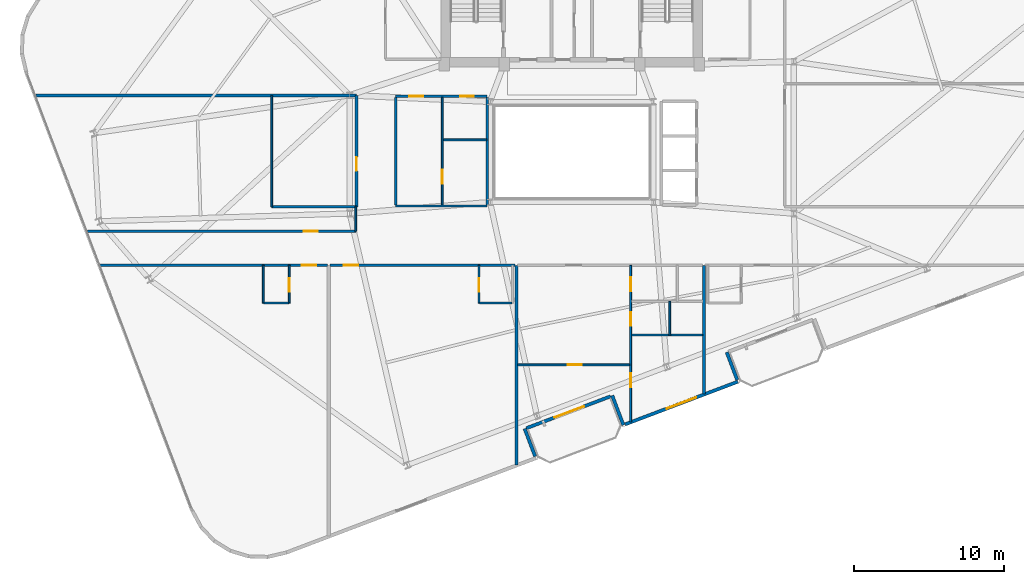
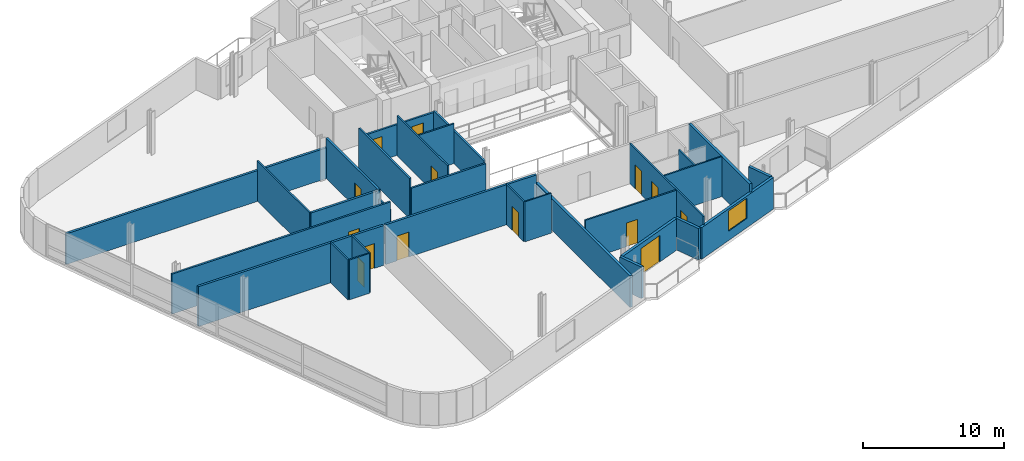
# One storey, part 14 of 19: 30 walls, 14 doors, 1 window, 15 openings.
"""IFC4 building model written with IfcOpenShell, lengths in metres."""

import ifcopenshell
import ifcopenshell.guid

model = None  # the IFC model being written
_history = None  # IfcOwnerHistory: only IFC2X3 demands one
_inside = {}  # id of a spatial element -> (the spatial element, [elements in it])
_under = {}  # id of a project, library or spatial element -> (it, [spatial elements below it])
_declared = {}  # id of a project -> (the project, [libraries it declares])
_typed = {}  # id of a type object -> (the type object, [elements of that type])
_made_of = {}  # id of a material, layer set ... -> (it, [elements and type objects made of it])


def new_model(schema):
    """Start an empty IFC model of exactly this schema.

    Asked for "IFC4X3", IfcOpenShell would pick the latest addendum, in which some entities
    have other attributes; the version numbers below select the first issue.
    IFC2X3 requires an IfcOwnerHistory on every rooted entity: one is made here for all.
    """
    global model, _history
    if schema == "IFC4X3":
        model = ifcopenshell.file(schema_version=(4, 3, 0, 0))
    else:
        model = ifcopenshell.file(schema=schema)
    _inside.clear()
    _under.clear()
    _declared.clear()
    _typed.clear()
    _made_of.clear()
    _history = None
    if model.schema == "IFC2X3":
        org = make("IfcOrganization", Name="unknown")
        user = make(
            "IfcPersonAndOrganization",
            ThePerson=make("IfcPerson", FamilyName="unknown"),
            TheOrganization=org,
        )
        app = make(
            "IfcApplication",
            ApplicationDeveloper=org,
            Version="unknown",
            ApplicationFullName="unknown",
            ApplicationIdentifier="unknown",
        )
        _history = make(
            "IfcOwnerHistory",
            OwningUser=user,
            OwningApplication=app,
            ChangeAction="ADDED",
            CreationDate=0,
        )
    return model


def make(cls, **values):
    """One entity of the class cls with the attributes given. An attribute that is None is left unset."""
    return model.create_entity(
        cls, **{name: value for name, value in values.items() if value is not None}
    )


def rooted(cls, **values):
    """An entity with a GlobalId (a new one), such as an element, a storey or a relation."""
    return make(cls, GlobalId=ifcopenshell.guid.new(), OwnerHistory=_history, **values)


def si_unit(unit_type, name, prefix=None):
    """IfcSIUnit, for example si_unit("LENGTHUNIT", "METRE", prefix="MILLI")."""
    return make("IfcSIUnit", UnitType=unit_type, Prefix=prefix, Name=name)


def assignment(units):
    """IfcUnitAssignment: the units of a project."""
    return None if units is None else make("IfcUnitAssignment", Units=units)


def point(xyz):
    """IfcCartesianPoint."""
    return None if xyz is None else make("IfcCartesianPoint", Coordinates=xyz)


def direction(xyz):
    """IfcDirection."""
    return None if xyz is None else make("IfcDirection", DirectionRatios=xyz)


def frame(location, z_axis=None, x_axis=None):
    """IfcAxis2Placement3D, a coordinate frame: its origin and axes. An axis left out is left unset."""
    return make(
        "IfcAxis2Placement3D",
        Location=point(location),
        Axis=direction(z_axis),
        RefDirection=direction(x_axis),
    )


def frame_2d(location, x_axis=None):
    """IfcAxis2Placement2D, a coordinate frame in the plane: its origin and x axis."""
    return make(
        "IfcAxis2Placement2D", Location=point(location), RefDirection=direction(x_axis)
    )


def origin():
    """The frame at (0, 0, 0) with its axes left unset."""
    return frame((0.0, 0.0, 0.0))


def place(relative_to, where):
    """IfcLocalPlacement: puts the frame where relative to a parent placement (None: the world)."""
    return make(
        "IfcLocalPlacement", PlacementRelTo=relative_to, RelativePlacement=where
    )


def context(
    kind, dimensions, precision=None, world=None, true_north=None, identifier=None
):
    """IfcGeometricRepresentationContext, for example the 3D "Model" context."""
    return make(
        "IfcGeometricRepresentationContext",
        ContextIdentifier=identifier,
        ContextType=kind,
        CoordinateSpaceDimension=dimensions,
        Precision=precision,
        WorldCoordinateSystem=world,
        TrueNorth=true_north,
    )


def subcontext(parent, identifier, kind, view, scale=None):
    """IfcGeometricRepresentationSubContext, for example "Body" below "Model"."""
    return make(
        "IfcGeometricRepresentationSubContext",
        ContextIdentifier=identifier,
        ContextType=kind,
        ParentContext=parent,
        TargetScale=scale,
        TargetView=view,
    )


def project(units=None, contexts=None):
    """IfcProject with its units and contexts."""
    return rooted(
        "IfcProject",
        Name="project",
        RepresentationContexts=contexts,
        UnitsInContext=assignment(units),
    )


def spatial(cls, under=None, at=None, **own):
    """A site, building, storey or space (cls), placed at a placement, below another one or the project."""
    s = rooted(cls, ObjectPlacement=at, **own)
    if under is not None:
        _under.setdefault(under.id(), (under, []))[1].append(s)
    return s


def profile(cls, at=None, kind="AREA", **sizes):
    """A parametric profile (cls). Its sizes go by their IFC names, for example OverallWidth=200.0."""
    return make(cls, ProfileType=kind, Position=at, **sizes)


def rectangle(**sizes):
    """IfcRectangleProfileDef."""
    return profile("IfcRectangleProfileDef", **sizes)


def extrude(swept, where, along, depth):
    """IfcExtrudedAreaSolid: the profile swept, set in the frame where, extruded along a direction by depth."""
    return make(
        "IfcExtrudedAreaSolid",
        SweptArea=swept,
        Position=where,
        ExtrudedDirection=direction(along),
        Depth=depth,
    )


def shape(context_of_items, identifier, shape_type, items):
    """IfcShapeRepresentation: the items that make up one representation, for example the "Body"."""
    return make(
        "IfcShapeRepresentation",
        ContextOfItems=context_of_items,
        RepresentationIdentifier=identifier,
        RepresentationType=shape_type,
        Items=items,
    )


def material(Name=None, Category=None):
    """IfcMaterial."""
    return make("IfcMaterial", Name=Name, Category=Category)


def layer(
    of_material, thickness, ventilated=None, Name=None, Category=None, Priority=None
):
    """IfcMaterialLayer: one layer of a wall or slab, of a material (None: an air gap)."""
    return make(
        "IfcMaterialLayer",
        Material=of_material,
        LayerThickness=thickness,
        IsVentilated=ventilated,
        Name=Name,
        Category=Category,
        Priority=Priority,
    )


def layer_set(layers, Name=None):
    """IfcMaterialLayerSet."""
    return make("IfcMaterialLayerSet", MaterialLayers=layers, LayerSetName=Name)


def made_of(thing, what):
    """Note that an element or type object is made of a material, layer set ...; save() writes the relation."""
    if what is not None:
        _made_of.setdefault(what.id(), (what, []))[1].append(thing)
    return thing


def type_object(cls, material=None, **own):
    """A type object (cls), such as IfcWallType, which elements share."""
    return made_of(rooted(cls, **own), material)


def element(
    cls,
    number,
    at=None,
    inside=None,
    cuts=None,
    type_object=None,
    material=None,
    context=None,
    identifier="Body",
    shape_type=None,
    held_by="IfcProductDefinitionShape",
    body=None,
    shapes=None,
    **own,
):
    """One element of the class cls, such as IfcWall. Its Tag is "e" and its number.

    at: its placement. inside: the storey or other place that contains it. cuts: it is an
    opening in that element (IfcRelVoidsElement). A single representation is given by context,
    identifier, shape_type and body (its items); several are given by shapes. held_by: the class
    of the entity that holds the representations. save() writes the other relations.
    """
    e = rooted(cls, Tag="e%d" % number, ObjectPlacement=at, **own)
    if body is not None:
        shapes = [shape(context, identifier, shape_type, body)]
    if shapes is not None:
        e.Representation = make(held_by, Representations=shapes)
    if inside is not None:
        _inside.setdefault(inside.id(), (inside, []))[1].append(e)
    if cuts is not None:
        rooted(
            "IfcRelVoidsElement", RelatingBuildingElement=cuts, RelatedOpeningElement=e
        )
    if type_object is not None:
        _typed.setdefault(type_object.id(), (type_object, []))[1].append(e)
    return made_of(e, material)


def fill(opening, filler):
    """IfcRelFillsElement: the door or window that sits in an opening."""
    return rooted(
        "IfcRelFillsElement",
        RelatingOpeningElement=opening,
        RelatedBuildingElement=filler,
    )


def aggregate(whole, parts):
    """IfcRelAggregates: a whole, such as a stair, and the parts it consists of."""
    return rooted("IfcRelAggregates", RelatingObject=whole, RelatedObjects=parts)


def save(model, path):
    """Write the relations noted so far, then the file.

    IfcRelAggregates (storeys below a building ...), IfcRelContainedInSpatialStructure (elements
    in a storey), IfcRelDefinesByType, IfcRelAssociatesMaterial and IfcRelDeclares: one each for
    every whole, place, type object, material and project.
    """
    for whole, parts in _under.values():
        aggregate(whole, parts)
    for where, things in _inside.values():
        rooted(
            "IfcRelContainedInSpatialStructure",
            RelatedElements=things,
            RelatingStructure=where,
        )
    for kind, things in _typed.values():
        rooted("IfcRelDefinesByType", RelatedObjects=things, RelatingType=kind)
    for what, things in _made_of.values():
        rooted("IfcRelAssociatesMaterial", RelatedObjects=things, RelatingMaterial=what)
    for by, libraries in _declared.values():
        rooted("IfcRelDeclares", RelatingContext=by, RelatedDefinitions=libraries)
    model.write(path)


model = new_model("IFC4")

# Units and contexts
model_context = context("Model", 3, precision=1e-05, world=origin(), true_north=direction((0.0, 1.0)))
body_context = subcontext(model_context, "Body", "Model", "MODEL_VIEW")
ifc_project = project(units=[si_unit("LENGTHUNIT", "METRE"), si_unit("AREAUNIT", "SQUARE_METRE"), si_unit("VOLUMEUNIT", "CUBIC_METRE"), si_unit("PLANEANGLEUNIT", "RADIAN"), si_unit("MASSUNIT", "GRAM", prefix="KILO")], contexts=[model_context])

# Site, building, storey
site_placement = place(None, origin())
site = spatial("IfcSite", under=ifc_project, at=site_placement, CompositionType="ELEMENT")
building_placement = place(site_placement, origin())
building = spatial("IfcBuilding", under=site, at=building_placement, Name="Varnelok Gate Tower", CompositionType="ELEMENT")
storey_placement = place(building_placement, frame((0.0, 0.0, 231.199951171875)))
storey = spatial("IfcBuildingStorey", under=building, at=storey_placement, Name="L59", CompositionType="ELEMENT", Elevation=231.199951171875)

# Wall, opening, door
ifc_material_1 = material(Name="Concrete C45/55", Category="concrete")
ifc_layer_1 = layer(ifc_material_1, 0.219970703125)
ifc_layer_set_1 = layer_set([ifc_layer_1], Name="Concrete C45/55")
wall_type_1 = type_object("IfcWallType", Name="EW-BALC-220", PredefinedType="SOLIDWALL", material=ifc_layer_set_1)
wall_1_placement = place(storey_placement, frame((41.783203125, 6.6142578125, 0.0), z_axis=(0.0, 0.0, 1.0), x_axis=(-0.93521416643, -0.354082565101, 0.0)))
wall_1 = element("IfcWall", 1, at=wall_1_placement, inside=storey, type_object=wall_type_1, Name="L59 South Terrace Envelope Wall 1", PredefinedType="SOLIDWALL", context=body_context, shape_type="SweptSolid", body=[
    extrude(rectangle(XDim=6.0, YDim=0.219970703125, at=frame_2d((3.0, 0.0))), origin(), (0.0, 0.0, 1.0), 2.72998046875),
])
opening_1_placement = place(wall_1_placement, frame((1.887939453125, 0.0, 0.0)))
opening_1 = element("IfcOpeningElement", 2, at=opening_1_placement, cuts=wall_1, Name="Opening BD-2", PredefinedType="OPENING", context=body_context, shape_type="SweptSolid", body=[
    extrude(rectangle(XDim=2.10009765625, YDim=2.300048828125, at=frame_2d((1.050048828125, 1.14990234375))), frame((0.0, 0.119873046875, 0.0), z_axis=(0.0, -1.0, 0.0), x_axis=(1.0, 0.0, 0.0)), (0.0, 0.0, 1.0), 0.239990234375),
])
ifc_material_2 = material(Name="Anodized Aluminum Alloy 6063-T6", Category="aluminium")
door_type_1 = type_object("IfcDoorType", Name="DR-EXT-SLID2100", OperationType="SLIDING_TO_LEFT", PredefinedType="DOOR", material=ifc_material_2)
door_1_placement = place(opening_1_placement, origin())
door_1 = element("IfcDoor", 3, at=door_1_placement, inside=storey, type_object=door_type_1, Name="L59 South Balcony Glazed Door 1", OperationType="SLIDING_TO_LEFT", OverallHeight=2.300048828125, OverallWidth=2.10009765625, PredefinedType="DOOR", context=body_context, shape_type="SweptSolid", body=[
    extrude(rectangle(XDim=2.10009765625, YDim=2.300048828125, at=frame_2d((1.050048828125, 1.14990234375))), frame((0.0, 0.02490234375, 0.0), z_axis=(0.0, -1.0, 0.0), x_axis=(1.0, 0.0, 0.0)), (0.0, 0.0, 1.0), 0.050048828125),
])
fill(opening_1, door_1)

# Walls
wall_2_placement = place(storey_placement, frame((36.75537109375, 2.609619140625, 0.0), z_axis=(0.0, 0.0, 1.0), x_axis=(-0.354020680661, 0.935237594232, 0.0)))
element("IfcWall", 4, at=wall_2_placement, inside=storey, type_object=wall_type_1, Name="L59 Perimeter Facade Closure Wall 8", PredefinedType="SOLIDWALL", context=body_context, shape_type="SweptSolid", body=[
    extrude(rectangle(XDim=1.97509765625, YDim=0.219970703125, at=frame_2d((0.987548828125, 0.0))), origin(), (0.0, 0.0, 1.0), 2.72998046875),
])
wall_3_placement = place(storey_placement, frame((41.891845703125, 6.666015625, 0.0), z_axis=(0.0, 0.0, 1.0), x_axis=(0.354128469405, -0.935196785258, 0.0)))
element("IfcWall", 5, at=wall_3_placement, inside=storey, type_object=wall_type_1, Name="L59 Perimeter Facade Closure Wall 9", PredefinedType="SOLIDWALL", context=body_context, shape_type="SweptSolid", body=[
    extrude(rectangle(XDim=2.099853515625, YDim=0.219970703125, at=frame_2d((1.0498046875, 0.0))), origin(), (0.0, 0.0, 1.0), 2.72998046875),
])

# Wall, opening, window
wall_4_placement = place(storey_placement, frame((42.75244140625, 4.746337890625, 0.0), z_axis=(0.0, 0.0, 1.0), x_axis=(0.935216926991, 0.354075273733, 0.0)))
wall_4 = element("IfcWall", 6, at=wall_4_placement, inside=storey, type_object=wall_type_1, Name="L59 Perimeter Facade Closure Wall 10", PredefinedType="SOLIDWALL", context=body_context, shape_type="SweptSolid", body=[
    extrude(rectangle(XDim=8.034912109375, YDim=0.219970703125, at=frame_2d((4.017578125, 0.0))), origin(), (0.0, 0.0, 1.0), 2.72998046875),
])
opening_2_placement = place(wall_4_placement, frame((2.967529296875, 0.0, 0.800048828125)))
opening_2 = element("IfcOpeningElement", 7, at=opening_2_placement, cuts=wall_4, Name="Opening WN4", PredefinedType="OPENING", context=body_context, shape_type="SweptSolid", body=[
    extrude(rectangle(XDim=2.10009765625, YDim=1.75, at=frame_2d((1.050048828125, 0.875))), frame((0.0, 0.119873046875, 0.0), z_axis=(0.0, -1.0, 0.0), x_axis=(1.0, 0.0, 0.0)), (0.0, 0.0, 1.0), 0.239990234375),
])
ifc_material_3 = material(Name="Low-E Laminated Double Glazing IGU", Category="glass")
window_type = type_object("IfcWindowType", Name="WN-SUI-2100", PartitioningType="SINGLE_PANEL", PredefinedType="WINDOW", material=ifc_material_3)
window_placement = place(opening_2_placement, origin())
window = element("IfcWindow", 8, at=window_placement, inside=storey, type_object=window_type, Name="L59 Perimeter Vision Window 10", OverallHeight=1.75, OverallWidth=2.10009765625, PartitioningType="SINGLE_PANEL", PredefinedType="WINDOW", context=body_context, shape_type="SweptSolid", body=[
    extrude(rectangle(XDim=2.10009765625, YDim=1.75, at=frame_2d((1.050048828125, 0.875))), frame((0.0, 0.030029296875, 0.0), z_axis=(0.0, -1.0, 0.0), x_axis=(1.0, 0.0, 0.0)), (0.0, 0.0, 1.0), 0.06005859375),
])
fill(opening_2, window)

# Wall
wall_5_placement = place(storey_placement, frame((50.22265625, 7.7080078125, 0.0), z_axis=(0.0, 0.0, 1.0), x_axis=(-0.354020680661, 0.935237594232, 0.0)))
element("IfcWall", 9, at=wall_5_placement, inside=storey, type_object=wall_type_1, Name="L59 Perimeter Facade Closure Wall 11", PredefinedType="SOLIDWALL", context=body_context, shape_type="SweptSolid", body=[
    extrude(rectangle(XDim=1.97509765625, YDim=0.219970703125, at=frame_2d((0.987548828125, 0.0))), origin(), (0.0, 0.0, 1.0), 2.72998046875),
])

# Wall, opening, door
ifc_material_4 = material(Name="Gypsum Plasterboard Acoustic Partition", Category="gypsum")
ifc_layer_2 = layer(ifc_material_4, 0.179931640625)
ifc_layer_set_2 = layer_set([ifc_layer_2], Name="Gypsum Plasterboard Acoustic Partition")
wall_type_2 = type_object("IfcWallType", Name="PW-CORR-180", PredefinedType="PARTITIONING", material=ifc_layer_set_2)
wall_6_placement = place(storey_placement, frame((7.763916015625, 15.35009765625, 0.0), z_axis=(0.0, 0.0, 1.0), x_axis=(1.0, 0.0, 0.0)))
wall_6 = element("IfcWall", 10, at=wall_6_placement, inside=storey, type_object=wall_type_2, Name="Interior Partition", PredefinedType="PARTITIONING", context=body_context, shape_type="SweptSolid", body=[
    extrude(rectangle(XDim=15.156005859375, YDim=0.179931640625, at=frame_2d((7.578125, 0.0))), origin(), (0.0, 0.0, 1.0), 3.449951171875),
])
opening_3_placement = place(wall_6_placement, frame((13.44970703125, 0.0, 0.0)))
opening_3 = element("IfcOpeningElement", 11, at=opening_3_placement, cuts=wall_6, Name="Opening D-HT", PredefinedType="OPENING", context=body_context, shape_type="SweptSolid", body=[
    extrude(rectangle(XDim=0.949951171875, YDim=2.14990234375, at=frame_2d((0.47509765625, 1.074951171875))), frame((0.0, 0.099853515625, 0.0), z_axis=(0.0, -1.0, 0.0), x_axis=(1.0, 0.0, 0.0)), (0.0, 0.0, 1.0), 0.199951171875),
])
ifc_material_5 = material(Name="Engineered Hardwood Timber", Category="wood")
door_type_2 = type_object("IfcDoorType", Name="DR-HTL-950", OperationType="NOTDEFINED", PredefinedType="DOOR", material=ifc_material_5)
door_2_placement = place(opening_3_placement, origin())
door_2 = element("IfcDoor", 12, at=door_2_placement, inside=storey, type_object=door_type_2, Name="L59 Guest Room 01 Entrance Door", OperationType="SINGLE_SWING_RIGHT", OverallHeight=2.14990234375, OverallWidth=0.949951171875, PredefinedType="DOOR", context=body_context, shape_type="SweptSolid", body=[
    extrude(rectangle(XDim=0.949951171875, YDim=2.14990234375, at=frame_2d((0.47509765625, 1.074951171875))), frame((0.0, 0.02490234375, 0.0), z_axis=(0.0, -1.0, 0.0), x_axis=(1.0, 0.0, 0.0)), (0.0, 0.0, 1.0), 0.050048828125),
])
fill(opening_3, door_2)

wall_7_placement = place(storey_placement, frame((23.080078125, 15.35009765625, 0.0), z_axis=(0.0, 0.0, 1.0), x_axis=(1.0, 0.0, 0.0)))
wall_7 = element("IfcWall", 13, at=wall_7_placement, inside=storey, type_object=wall_type_2, Name="Interior Partition", PredefinedType="PARTITIONING", context=body_context, shape_type="SweptSolid", body=[
    extrude(rectangle(XDim=12.33984375, YDim=0.179931640625, at=frame_2d((6.169921875, 0.0))), origin(), (0.0, 0.0, 1.0), 3.449951171875),
])
opening_4_placement = place(wall_7_placement, frame((0.933349609375, 0.0, 0.0)))
opening_4 = element("IfcOpeningElement", 14, at=opening_4_placement, cuts=wall_7, Name="Opening D-HT", PredefinedType="OPENING", context=body_context, shape_type="SweptSolid", body=[
    extrude(rectangle(XDim=0.949951171875, YDim=2.14990234375, at=frame_2d((0.47509765625, 1.074951171875))), frame((0.0, 0.099853515625, 0.0), z_axis=(0.0, -1.0, 0.0), x_axis=(1.0, 0.0, 0.0)), (0.0, 0.0, 1.0), 0.199951171875),
])
door_3_placement = place(opening_4_placement, origin())
door_3 = element("IfcDoor", 15, at=door_3_placement, inside=storey, type_object=door_type_2, Name="L59 Guest Room 02 Entrance Door", OperationType="SINGLE_SWING_LEFT", OverallHeight=2.14990234375, OverallWidth=0.949951171875, PredefinedType="DOOR", context=body_context, shape_type="SweptSolid", body=[
    extrude(rectangle(XDim=0.949951171875, YDim=2.14990234375, at=frame_2d((0.47509765625, 1.074951171875))), frame((0.0, 0.02490234375, 0.0), z_axis=(0.0, -1.0, 0.0), x_axis=(1.0, 0.0, 0.0)), (0.0, 0.0, 1.0), 0.050048828125),
])
fill(opening_4, door_3)

wall_8_placement = place(storey_placement, frame((24.85009765625, 19.239990234375, 0.0), z_axis=(0.0, 0.0, 1.0), x_axis=(0.0, 1.0, 0.0)))
wall_8 = element("IfcWall", 16, at=wall_8_placement, inside=storey, type_object=wall_type_2, Name="Interior Partition", PredefinedType="PARTITIONING", context=body_context, shape_type="SweptSolid", body=[
    extrude(rectangle(XDim=7.419921875, YDim=0.179931640625, at=frame_2d((3.7099609375, 0.0))), origin(), (0.0, 0.0, 1.0), 3.449951171875),
])
opening_5_placement = place(wall_8_placement, frame((2.39990234375, 0.0, 0.0)))
opening_5 = element("IfcOpeningElement", 17, at=opening_5_placement, cuts=wall_8, Name="Opening D-I3", PredefinedType="OPENING", context=body_context, shape_type="SweptSolid", body=[
    extrude(rectangle(XDim=0.919921875, YDim=2.050048828125, at=frame_2d((0.4599609375, 1.02490234375))), frame((0.0, 0.099853515625, 0.0), z_axis=(0.0, -1.0, 0.0), x_axis=(1.0, 0.0, 0.0)), (0.0, 0.0, 1.0), 0.199951171875),
])
door_type_3 = type_object("IfcDoorType", Name="DR-INT-920", OperationType="NOTDEFINED", PredefinedType="DOOR", material=ifc_material_5)
door_4_placement = place(opening_5_placement, origin())
door_4 = element("IfcDoor", 18, at=door_4_placement, inside=storey, type_object=door_type_3, Name="L59 West Playroom Door", OperationType="SINGLE_SWING_LEFT", OverallHeight=2.050048828125, OverallWidth=0.919921875, PredefinedType="DOOR", context=body_context, shape_type="SweptSolid", body=[
    extrude(rectangle(XDim=0.919921875, YDim=2.050048828125, at=frame_2d((0.4599609375, 1.02490234375))), frame((0.0, 0.02490234375, 0.0), z_axis=(0.0, -1.0, 0.0), x_axis=(1.0, 0.0, 0.0)), (0.0, 0.0, 1.0), 0.050048828125),
])
fill(opening_5, door_4)

# Walls
wall_9_placement = place(storey_placement, frame((19.199951171875, 19.239990234375, 0.0), z_axis=(0.0, 0.0, 1.0), x_axis=(1.0, 0.0, 0.0)))
element("IfcWall", 19, at=wall_9_placement, inside=storey, type_object=wall_type_2, Name="Interior Partition", PredefinedType="PARTITIONING", context=body_context, shape_type="SweptSolid", body=[
    extrude(rectangle(XDim=5.650146484375, YDim=0.179931640625, at=frame_2d((2.8251953125, 0.0))), origin(), (0.0, 0.0, 1.0), 3.449951171875),
])
wall_10_placement = place(storey_placement, frame((3.482177734375, 26.659912109375, 0.0), z_axis=(0.0, 0.0, 1.0), x_axis=(1.0, 0.0, 0.0)))
element("IfcWall", 20, at=wall_10_placement, inside=storey, type_object=wall_type_2, Name="Interior Partition", PredefinedType="PARTITIONING", context=body_context, shape_type="SweptSolid", body=[
    extrude(rectangle(XDim=21.367919921875, YDim=0.179931640625, at=frame_2d((10.68408203125, 0.0))), origin(), (0.0, 0.0, 1.0), 2.662109375),
])
ifc_layer_3 = layer(ifc_material_4, 0.114990234375)
ifc_layer_set_3 = layer_set([ifc_layer_3], Name="Gypsum Plasterboard Acoustic Partition")
wall_type_3 = type_object("IfcWallType", Name="PW-ENS-125", PredefinedType="PARTITIONING", material=ifc_layer_set_3)
wall_11_placement = place(storey_placement, frame((18.679931640625, 12.830078125, 0.0), z_axis=(0.0, 0.0, 1.0), x_axis=(1.0, 0.0, 0.0)))
element("IfcWall", 21, at=wall_11_placement, inside=storey, type_object=wall_type_3, Name="Interior Partition", PredefinedType="PARTITIONING", context=body_context, shape_type="SweptSolid", body=[
    extrude(rectangle(XDim=1.650146484375, YDim=0.114990234375, at=frame_2d((0.8251953125, 0.0))), origin(), (0.0, 0.0, 1.0), 3.449951171875),
])

# Wall, opening, door
wall_12_placement = place(storey_placement, frame((20.3701171875, 12.830078125, 0.0), z_axis=(0.0, 0.0, 1.0), x_axis=(0.0, 1.0, 0.0)))
wall_12 = element("IfcWall", 22, at=wall_12_placement, inside=storey, type_object=wall_type_3, Name="Interior Partition", PredefinedType="PARTITIONING", context=body_context, shape_type="SweptSolid", body=[
    extrude(rectangle(XDim=2.52001953125, YDim=0.114990234375, at=frame_2d((1.260009765625, 0.0))), origin(), (0.0, 0.0, 1.0), 3.449951171875),
])
opening_6_placement = place(wall_12_placement, frame((0.760009765625, 0.0, 0.0)))
opening_6 = element("IfcOpeningElement", 23, at=opening_6_placement, cuts=wall_12, Name="Opening D-WC", PredefinedType="OPENING", context=body_context, shape_type="SweptSolid", body=[
    extrude(rectangle(XDim=0.89990234375, YDim=2.050048828125, at=frame_2d((0.449951171875, 1.02490234375))), frame((0.0, 0.0673828125, 0.0), z_axis=(0.0, -1.0, 0.0), x_axis=(1.0, 0.0, 0.0)), (0.0, 0.0, 1.0), 0.135009765625),
])
door_type_4 = type_object("IfcDoorType", Name="DR-BATH-900", OperationType="NOTDEFINED", PredefinedType="DOOR", material=ifc_material_5)
door_5_placement = place(opening_6_placement, origin())
door_5 = element("IfcDoor", 24, at=door_5_placement, inside=storey, type_object=door_type_4, Name="L59 Guest En-Suite 01 Door", OperationType="SINGLE_SWING_LEFT", OverallHeight=2.050048828125, OverallWidth=0.89990234375, PredefinedType="DOOR", context=body_context, shape_type="SweptSolid", body=[
    extrude(rectangle(XDim=0.89990234375, YDim=2.050048828125, at=frame_2d((0.449951171875, 1.02490234375))), frame((0.0, 0.02490234375, 0.0), z_axis=(0.0, -1.0, 0.0), x_axis=(1.0, 0.0, 0.0)), (0.0, 0.0, 1.0), 0.050048828125),
])
fill(opening_6, door_5)

# Walls
wall_13_placement = place(storey_placement, frame((18.639892578125, 12.830078125, 0.0), z_axis=(0.0, 0.0, 1.0), x_axis=(0.0, 1.0, 0.0)))
element("IfcWall", 25, at=wall_13_placement, inside=storey, type_object=wall_type_3, Name="Interior Partition", PredefinedType="PARTITIONING", context=body_context, shape_type="SweptSolid", body=[
    extrude(rectangle(XDim=2.52001953125, YDim=0.114990234375, at=frame_2d((1.260009765625, 0.0))), origin(), (0.0, 0.0, 1.0), 3.449951171875),
])
wall_14_placement = place(storey_placement, frame((33.050048828125, 12.830078125, 0.0), z_axis=(0.0, 0.0, 1.0), x_axis=(1.0, 0.0, 0.0)))
element("IfcWall", 26, at=wall_14_placement, inside=storey, type_object=wall_type_3, Name="Interior Partition", PredefinedType="PARTITIONING", context=body_context, shape_type="SweptSolid", body=[
    extrude(rectangle(XDim=2.14990234375, YDim=0.114990234375, at=frame_2d((1.074951171875, 0.0))), origin(), (0.0, 0.0, 1.0), 3.449951171875),
])

# Wall, opening, door
wall_15_placement = place(storey_placement, frame((33.010009765625, 12.830078125, 0.0), z_axis=(0.0, 0.0, 1.0), x_axis=(0.0, 1.0, 0.0)))
wall_15 = element("IfcWall", 27, at=wall_15_placement, inside=storey, type_object=wall_type_3, Name="Interior Partition", PredefinedType="PARTITIONING", context=body_context, shape_type="SweptSolid", body=[
    extrude(rectangle(XDim=2.52001953125, YDim=0.114990234375, at=frame_2d((1.260009765625, 0.0))), origin(), (0.0, 0.0, 1.0), 3.449951171875),
])
opening_7_placement = place(wall_15_placement, frame((0.760009765625, 0.0, 0.0)))
opening_7 = element("IfcOpeningElement", 28, at=opening_7_placement, cuts=wall_15, Name="Opening D-WC", PredefinedType="OPENING", context=body_context, shape_type="SweptSolid", body=[
    extrude(rectangle(XDim=0.89990234375, YDim=2.050048828125, at=frame_2d((0.449951171875, 1.02490234375))), frame((0.0, 0.0673828125, 0.0), z_axis=(0.0, -1.0, 0.0), x_axis=(1.0, 0.0, 0.0)), (0.0, 0.0, 1.0), 0.135009765625),
])
door_6_placement = place(opening_7_placement, origin())
door_6 = element("IfcDoor", 29, at=door_6_placement, inside=storey, type_object=door_type_4, Name="L59 Guest En-Suite 02 Door", OperationType="SINGLE_SWING_RIGHT", OverallHeight=2.050048828125, OverallWidth=0.89990234375, PredefinedType="DOOR", context=body_context, shape_type="SweptSolid", body=[
    extrude(rectangle(XDim=0.89990234375, YDim=2.050048828125, at=frame_2d((0.449951171875, 1.02490234375))), frame((0.0, 0.02490234375, 0.0), z_axis=(0.0, -1.0, 0.0), x_axis=(1.0, 0.0, 0.0)), (0.0, 0.0, 1.0), 0.050048828125),
])
fill(opening_7, door_6)

# Walls
wall_16_placement = place(storey_placement, frame((43.18994140625, 10.699951171875, 0.0), z_axis=(0.0, 0.0, 1.0), x_axis=(1.0, 0.0, 0.0)))
element("IfcWall", 30, at=wall_16_placement, inside=storey, type_object=wall_type_3, Name="Interior Partition", PredefinedType="PARTITIONING", context=body_context, shape_type="SweptSolid", body=[
    extrude(rectangle(XDim=4.72998046875, YDim=0.114990234375, at=frame_2d((2.364990234375, 0.0))), origin(), (0.0, 0.0, 1.0), 3.449951171875),
])
wall_17_placement = place(storey_placement, frame((45.72998046875, 10.699951171875, 0.0), z_axis=(0.0, 0.0, 1.0), x_axis=(0.0, 1.0, 0.0)))
element("IfcWall", 31, at=wall_17_placement, inside=storey, type_object=wall_type_3, Name="Interior Partition", PredefinedType="PARTITIONING", context=body_context, shape_type="SweptSolid", body=[
    extrude(rectangle(XDim=2.239990234375, YDim=0.114990234375, at=frame_2d((1.1201171875, 0.0))), origin(), (0.0, 0.0, 1.0), 3.449951171875),
])
ifc_layer_4 = layer(ifc_material_4, 0.125)
ifc_layer_set_4 = layer_set([ifc_layer_4], Name="Gypsum Plasterboard Acoustic Partition")
wall_type_4 = type_object("IfcWallType", Name="PW-PART-125", PredefinedType="PARTITIONING", material=ifc_layer_set_4)
wall_18_placement = place(storey_placement, frame((24.800048828125, 17.610107421875, 0.0), z_axis=(0.0, 0.0, 1.0), x_axis=(0.0, 1.0, 0.0)))
element("IfcWall", 32, at=wall_18_placement, inside=storey, type_object=wall_type_4, Name="Interior Partition", PredefinedType="PARTITIONING", context=body_context, shape_type="SweptSolid", body=[
    extrude(rectangle(XDim=1.6298828125, YDim=0.125, at=frame_2d((0.81494140625, 0.0))), origin(), (0.0, 0.0, 1.0), 2.739013671875),
])

# Wall, opening, door
wall_19_placement = place(storey_placement, frame((35.580078125, 8.7119140625, 0.0), z_axis=(0.0, 0.0, 1.0), x_axis=(1.0, 0.0, 0.0)))
wall_19 = element("IfcWall", 33, at=wall_19_placement, inside=storey, type_object=wall_type_4, Name="Interior Partition", PredefinedType="PARTITIONING", context=body_context, shape_type="SweptSolid", body=[
    extrude(rectangle(XDim=7.469970703125, YDim=0.125, at=frame_2d((3.73486328125, 0.0))), origin(), (0.0, 0.0, 1.0), 3.449951171875),
])
opening_8_placement = place(wall_19_placement, frame((3.361572265625, 0.0, 0.0)))
opening_8 = element("IfcOpeningElement", 34, at=opening_8_placement, cuts=wall_19, Name="Opening D-I3", PredefinedType="OPENING", context=body_context, shape_type="SweptSolid", body=[
    extrude(rectangle(XDim=0.919921875, YDim=2.050048828125, at=frame_2d((0.4599609375, 1.02490234375))), frame((0.0, 0.072509765625, 0.0), z_axis=(0.0, -1.0, 0.0), x_axis=(1.0, 0.0, 0.0)), (0.0, 0.0, 1.0), 0.14501953125),
])
door_7_placement = place(opening_8_placement, origin())
door_7 = element("IfcDoor", 35, at=door_7_placement, inside=storey, type_object=door_type_3, Name="L59 Apartment 3 Study Door", OperationType="SINGLE_SWING_LEFT", OverallHeight=2.050048828125, OverallWidth=0.919921875, PredefinedType="DOOR", context=body_context, shape_type="SweptSolid", body=[
    extrude(rectangle(XDim=0.919921875, YDim=2.050048828125, at=frame_2d((0.4599609375, 1.02490234375))), frame((0.0, 0.02490234375, 0.0), z_axis=(0.0, -1.0, 0.0), x_axis=(1.0, 0.0, 0.0)), (0.0, 0.0, 1.0), 0.050048828125),
])
fill(opening_8, door_7)

# Wall, openings, doors
wall_20_placement = place(storey_placement, frame((43.1201171875, 4.906982421875, 0.0), z_axis=(0.0, 0.0, 1.0), x_axis=(0.0, 1.0, 0.0)))
wall_20 = element("IfcWall", 36, at=wall_20_placement, inside=storey, type_object=wall_type_4, Name="Interior Partition", PredefinedType="PARTITIONING", context=body_context, shape_type="SweptSolid", body=[
    extrude(rectangle(XDim=10.443115234375, YDim=0.125, at=frame_2d((5.2216796875, 0.0))), origin(), (0.0, 0.0, 1.0), 3.449951171875),
])
opening_9_placement = place(wall_20_placement, frame((2.31982421875, 0.0, 0.0)))
opening_9 = element("IfcOpeningElement", 37, at=opening_9_placement, cuts=wall_20, Name="Opening D-I3", PredefinedType="OPENING", context=body_context, shape_type="SweptSolid", body=[
    extrude(rectangle(XDim=0.919921875, YDim=2.050048828125, at=frame_2d((0.4599609375, 1.02490234375))), frame((0.0, 0.072509765625, 0.0), z_axis=(0.0, -1.0, 0.0), x_axis=(1.0, 0.0, 0.0)), (0.0, 0.0, 1.0), 0.14501953125),
])
opening_10_placement = place(wall_20_placement, frame((6.42041015625, 0.0, 0.0)))
opening_10 = element("IfcOpeningElement", 38, at=opening_10_placement, cuts=wall_20, Name="Opening D-WC", PredefinedType="OPENING", context=body_context, shape_type="SweptSolid", body=[
    extrude(rectangle(XDim=0.89990234375, YDim=2.050048828125, at=frame_2d((0.449951171875, 1.02490234375))), frame((0.0, 0.072509765625, 0.0), z_axis=(0.0, -1.0, 0.0), x_axis=(1.0, 0.0, 0.0)), (0.0, 0.0, 1.0), 0.14501953125),
])
opening_11_placement = place(wall_20_placement, frame((8.713134765625, 0.0, 0.0)))
opening_11 = element("IfcOpeningElement", 39, at=opening_11_placement, cuts=wall_20, Name="Opening D-I3", PredefinedType="OPENING", context=body_context, shape_type="SweptSolid", body=[
    extrude(rectangle(XDim=0.919921875, YDim=2.050048828125, at=frame_2d((0.4599609375, 1.02490234375))), frame((0.0, 0.072509765625, 0.0), z_axis=(0.0, -1.0, 0.0), x_axis=(1.0, 0.0, 0.0)), (0.0, 0.0, 1.0), 0.14501953125),
])
door_8_placement = place(opening_10_placement, origin())
door_8 = element("IfcDoor", 40, at=door_8_placement, inside=storey, type_object=door_type_4, Name="L59 Apartment 3 Bathroom Door", OperationType="SINGLE_SWING_LEFT", OverallHeight=2.050048828125, OverallWidth=0.89990234375, PredefinedType="DOOR", context=body_context, shape_type="SweptSolid", body=[
    extrude(rectangle(XDim=0.89990234375, YDim=2.050048828125, at=frame_2d((0.449951171875, 1.02490234375))), frame((0.0, 0.02490234375, 0.0), z_axis=(0.0, -1.0, 0.0), x_axis=(1.0, 0.0, 0.0)), (0.0, 0.0, 1.0), 0.050048828125),
])
fill(opening_10, door_8)
door_9_placement = place(opening_9_placement, origin())
door_9 = element("IfcDoor", 41, at=door_9_placement, inside=storey, type_object=door_type_3, Name="L59 Apartment 3 Bedroom Door", OperationType="SINGLE_SWING_RIGHT", OverallHeight=2.050048828125, OverallWidth=0.919921875, PredefinedType="DOOR", context=body_context, shape_type="SweptSolid", body=[
    extrude(rectangle(XDim=0.919921875, YDim=2.050048828125, at=frame_2d((0.4599609375, 1.02490234375))), frame((0.0, 0.02490234375, 0.0), z_axis=(0.0, -1.0, 0.0), x_axis=(1.0, 0.0, 0.0)), (0.0, 0.0, 1.0), 0.050048828125),
])
fill(opening_9, door_9)
door_10_placement = place(opening_11_placement, origin())
door_10 = element("IfcDoor", 42, at=door_10_placement, inside=storey, type_object=door_type_3, Name="L59 Apartment 3 Kitchen Door", OperationType="SINGLE_SWING_RIGHT", OverallHeight=2.050048828125, OverallWidth=0.919921875, PredefinedType="DOOR", context=body_context, shape_type="SweptSolid", body=[
    extrude(rectangle(XDim=0.919921875, YDim=2.050048828125, at=frame_2d((0.4599609375, 1.02490234375))), frame((0.0, 0.02490234375, 0.0), z_axis=(0.0, -1.0, 0.0), x_axis=(1.0, 0.0, 0.0)), (0.0, 0.0, 1.0), 0.050048828125),
])
fill(opening_11, door_10)

# Wall
wall_21_placement = place(storey_placement, frame((19.199951171875, 19.239990234375, 0.0), z_axis=(0.0, 0.0, 1.0), x_axis=(0.0, 1.0, 0.0)))
element("IfcWall", 43, at=wall_21_placement, inside=storey, type_object=wall_type_4, Name="Interior Partition", PredefinedType="PARTITIONING", context=body_context, shape_type="SweptSolid", body=[
    extrude(rectangle(XDim=7.419921875, YDim=0.125, at=frame_2d((3.7099609375, 0.0))), origin(), (0.0, 0.0, 1.0), 3.449951171875),
])

# Wall, opening, door
wall_22_placement = place(storey_placement, frame((30.56005859375, 19.3798828125, 0.0), z_axis=(0.0, 0.0, 1.0), x_axis=(0.0, 1.0, 0.0)))
wall_22 = element("IfcWall", 44, at=wall_22_placement, inside=storey, type_object=wall_type_4, Name="Interior Partition", PredefinedType="PARTITIONING", context=body_context, shape_type="SweptSolid", body=[
    extrude(rectangle(XDim=7.16015625, YDim=0.125, at=frame_2d((3.580078125, 0.0))), origin(), (0.0, 0.0, 1.0), 3.449951171875),
])
opening_12_placement = place(wall_22_placement, frame((1.39990234375, 0.0, 0.0)))
opening_12 = element("IfcOpeningElement", 45, at=opening_12_placement, cuts=wall_22, Name="Opening D-I3", PredefinedType="OPENING", context=body_context, shape_type="SweptSolid", body=[
    extrude(rectangle(XDim=0.919921875, YDim=2.050048828125, at=frame_2d((0.4599609375, 1.02490234375))), frame((0.0, 0.072509765625, 0.0), z_axis=(0.0, -1.0, 0.0), x_axis=(1.0, 0.0, 0.0)), (0.0, 0.0, 1.0), 0.14501953125),
])
door_11_placement = place(opening_12_placement, origin())
door_11 = element("IfcDoor", 46, at=door_11_placement, inside=storey, type_object=door_type_3, Name="L59 Floor Linen Store Door", OperationType="SINGLE_SWING_RIGHT", OverallHeight=2.050048828125, OverallWidth=0.919921875, PredefinedType="DOOR", context=body_context, shape_type="SweptSolid", body=[
    extrude(rectangle(XDim=0.919921875, YDim=2.050048828125, at=frame_2d((0.4599609375, 1.02490234375))), frame((0.0, 0.02490234375, 0.0), z_axis=(0.0, -1.0, 0.0), x_axis=(1.0, 0.0, 0.0)), (0.0, 0.0, 1.0), 0.050048828125),
])
fill(opening_12, door_11)

# Wall
wall_23_placement = place(storey_placement, frame((30.639892578125, 23.7099609375, 0.0), z_axis=(0.0, 0.0, 1.0), x_axis=(1.0, 0.0, 0.0)))
element("IfcWall", 47, at=wall_23_placement, inside=storey, type_object=wall_type_4, Name="Interior Partition", PredefinedType="PARTITIONING", context=body_context, shape_type="SweptSolid", body=[
    extrude(rectangle(XDim=2.880126953125, YDim=0.125, at=frame_2d((1.43994140625, 0.0))), origin(), (0.0, 0.0, 1.0), 3.449951171875),
])

# Wall, opening, door
ifc_layer_5 = layer(ifc_material_4, 0.14990234375)
ifc_layer_set_5 = layer_set([ifc_layer_5], Name="Gypsum Plasterboard Acoustic Partition")
wall_type_5 = type_object("IfcWallType", Name="PW-PART-150", PredefinedType="PARTITIONING", material=ifc_layer_set_5)
wall_24_placement = place(storey_placement, frame((6.908447265625, 17.610107421875, 0.0), z_axis=(0.0, 0.0, 1.0), x_axis=(1.0, 0.0, 0.0)))
wall_24 = element("IfcWall", 48, at=wall_24_placement, inside=storey, type_object=wall_type_5, Name="Interior Partition", PredefinedType="PARTITIONING", context=body_context, shape_type="SweptSolid", body=[
    extrude(rectangle(XDim=17.8916015625, YDim=0.14990234375, at=frame_2d((8.94580078125, 0.0))), origin(), (0.0, 0.0, 1.0), 3.449951171875),
])
opening_13_placement = place(wall_24_placement, frame((14.426513671875, 0.0, 0.0)))
opening_13 = element("IfcOpeningElement", 49, at=opening_13_placement, cuts=wall_24, Name="Opening D-I3", PredefinedType="OPENING", context=body_context, shape_type="SweptSolid", body=[
    extrude(rectangle(XDim=0.919921875, YDim=2.050048828125, at=frame_2d((0.4599609375, 1.02490234375))), frame((0.0, 0.0849609375, 0.0), z_axis=(0.0, -1.0, 0.0), x_axis=(1.0, 0.0, 0.0)), (0.0, 0.0, 1.0), 0.169921875),
])
door_12_placement = place(opening_13_placement, origin())
door_12 = element("IfcDoor", 50, at=door_12_placement, inside=storey, type_object=door_type_3, Name="L59 Atrium Room 1 Door", OperationType="SINGLE_SWING_LEFT", OverallHeight=2.050048828125, OverallWidth=0.919921875, PredefinedType="DOOR", context=body_context, shape_type="SweptSolid", body=[
    extrude(rectangle(XDim=0.919921875, YDim=2.050048828125, at=frame_2d((0.4599609375, 1.02490234375))), frame((0.0, 0.02490234375, 0.0), z_axis=(0.0, -1.0, 0.0), x_axis=(1.0, 0.0, 0.0)), (0.0, 0.0, 1.0), 0.050048828125),
])
fill(opening_13, door_12)

# Wall, openings, doors
wall_25_placement = place(storey_placement, frame((27.4599609375, 26.6201171875, 0.0), z_axis=(0.0, 0.0, 1.0), x_axis=(1.0, 0.0, 0.0)))
wall_25 = element("IfcWall", 51, at=wall_25_placement, inside=storey, type_object=wall_type_5, Name="Interior Partition", PredefinedType="PARTITIONING", context=body_context, shape_type="SweptSolid", body=[
    extrude(rectangle(XDim=6.10009765625, YDim=0.14990234375, at=frame_2d((3.050048828125, 0.0))), origin(), (0.0, 0.0, 1.0), 2.662109375),
])
opening_14_placement = place(wall_25_placement, frame((0.89990234375, 0.0, 0.0)))
opening_14 = element("IfcOpeningElement", 52, at=opening_14_placement, cuts=wall_25, Name="Opening D-I2", PredefinedType="OPENING", context=body_context, shape_type="SweptSolid", body=[
    extrude(rectangle(XDim=0.949951171875, YDim=2.050048828125, at=frame_2d((0.47509765625, 1.02490234375))), frame((0.0, 0.0849609375, 0.0), z_axis=(0.0, -1.0, 0.0), x_axis=(1.0, 0.0, 0.0)), (0.0, 0.0, 1.0), 0.169921875),
])
opening_15_placement = place(wall_25_placement, frame((4.302978515625, 0.0, 0.0)))
opening_15 = element("IfcOpeningElement", 53, at=opening_15_placement, cuts=wall_25, Name="Opening D-WC", PredefinedType="OPENING", context=body_context, shape_type="SweptSolid", body=[
    extrude(rectangle(XDim=0.89990234375, YDim=2.050048828125, at=frame_2d((0.449951171875, 1.02490234375))), frame((0.0, 0.0849609375, 0.0), z_axis=(0.0, -1.0, 0.0), x_axis=(1.0, 0.0, 0.0)), (0.0, 0.0, 1.0), 0.169921875),
])
door_13_placement = place(opening_15_placement, origin())
door_13 = element("IfcDoor", 54, at=door_13_placement, inside=storey, type_object=door_type_4, Name="L59 Accessible Floor WC Door", OperationType="SINGLE_SWING_LEFT", OverallHeight=2.050048828125, OverallWidth=0.89990234375, PredefinedType="DOOR", context=body_context, shape_type="SweptSolid", body=[
    extrude(rectangle(XDim=0.89990234375, YDim=2.050048828125, at=frame_2d((0.449951171875, 1.02490234375))), frame((0.0, 0.02490234375, 0.0), z_axis=(0.0, -1.0, 0.0), x_axis=(1.0, 0.0, 0.0)), (0.0, 0.0, 1.0), 0.050048828125),
])
fill(opening_15, door_13)
door_type_5 = type_object("IfcDoorType", Name="DR-INT-950", OperationType="NOTDEFINED", PredefinedType="DOOR", material=ifc_material_5)
door_14_placement = place(opening_14_placement, origin())
door_14 = element("IfcDoor", 55, at=door_14_placement, inside=storey, type_object=door_type_5, Name="L59 Sky Library Door", OperationType="SINGLE_SWING_RIGHT", OverallHeight=2.050048828125, OverallWidth=0.949951171875, PredefinedType="DOOR", context=body_context, shape_type="SweptSolid", body=[
    extrude(rectangle(XDim=0.949951171875, YDim=2.050048828125, at=frame_2d((0.47509765625, 1.02490234375))), frame((0.0, 0.02490234375, 0.0), z_axis=(0.0, -1.0, 0.0), x_axis=(1.0, 0.0, 0.0)), (0.0, 0.0, 1.0), 0.050048828125),
])
fill(opening_14, door_14)

# Walls
wall_26_placement = place(storey_placement, frame((27.4599609375, 19.300048828125, 0.0), z_axis=(0.0, 0.0, 1.0), x_axis=(1.0, 0.0, 0.0)))
element("IfcWall", 56, at=wall_26_placement, inside=storey, type_object=wall_type_5, Name="Interior Partition", PredefinedType="PARTITIONING", context=body_context, shape_type="SweptSolid", body=[
    extrude(rectangle(XDim=6.10009765625, YDim=0.14990234375, at=frame_2d((3.050048828125, 0.0))), origin(), (0.0, 0.0, 1.0), 2.662109375),
])
wall_27_placement = place(storey_placement, frame((27.4599609375, 19.3798828125, 0.0), z_axis=(0.0, 0.0, 1.0), x_axis=(0.0, 1.0, 0.0)))
element("IfcWall", 57, at=wall_27_placement, inside=storey, type_object=wall_type_5, Name="Interior Partition", PredefinedType="PARTITIONING", context=body_context, shape_type="SweptSolid", body=[
    extrude(rectangle(XDim=7.16015625, YDim=0.14990234375, at=frame_2d((3.580078125, 0.0))), origin(), (0.0, 0.0, 1.0), 3.449951171875),
])
wall_28_placement = place(storey_placement, frame((33.56005859375, 19.3798828125, 0.0), z_axis=(0.0, 0.0, 1.0), x_axis=(0.0, 1.0, 0.0)))
element("IfcWall", 58, at=wall_28_placement, inside=storey, type_object=wall_type_5, Name="Interior Partition", PredefinedType="PARTITIONING", context=body_context, shape_type="SweptSolid", body=[
    extrude(rectangle(XDim=7.16015625, YDim=0.14990234375, at=frame_2d((3.580078125, 0.0))), origin(), (0.0, 0.0, 1.0), 2.823974609375),
])
ifc_layer_6 = layer(ifc_material_4, 0.205078125)
ifc_layer_set_6 = layer_set([ifc_layer_6], Name="Gypsum Plasterboard Acoustic Partition")
wall_type_6 = type_object("IfcWallType", Name="PW-PARTY-200", PredefinedType="PARTITIONING", material=ifc_layer_set_6)
wall_29_placement = place(storey_placement, frame((35.5, 2.022216796875, 0.0), z_axis=(0.0, 0.0, 1.0), x_axis=(0.0, 1.0, 0.0)))
element("IfcWall", 59, at=wall_29_placement, inside=storey, type_object=wall_type_6, Name="L59 South Party Wall 2", PredefinedType="PARTITIONING", context=body_context, shape_type="SweptSolid", body=[
    extrude(rectangle(XDim=13.327880859375, YDim=0.205078125, at=frame_2d((6.6640625, 0.0))), origin(), (0.0, 0.0, 1.0), 2.739013671875),
])
wall_30_placement = place(storey_placement, frame((48.0, 6.75439453125, 0.0), z_axis=(0.0, 0.0, 1.0), x_axis=(0.0, 1.0, 0.0)))
element("IfcWall", 60, at=wall_30_placement, inside=storey, type_object=wall_type_6, Name="L59 South Party Wall 3", PredefinedType="PARTITIONING", context=body_context, shape_type="SweptSolid", body=[
    extrude(rectangle(XDim=8.595703125, YDim=0.205078125, at=frame_2d((4.2978515625, 0.0))), origin(), (0.0, 0.0, 1.0), 3.449951171875),
])

save(model, "model.ifc")
